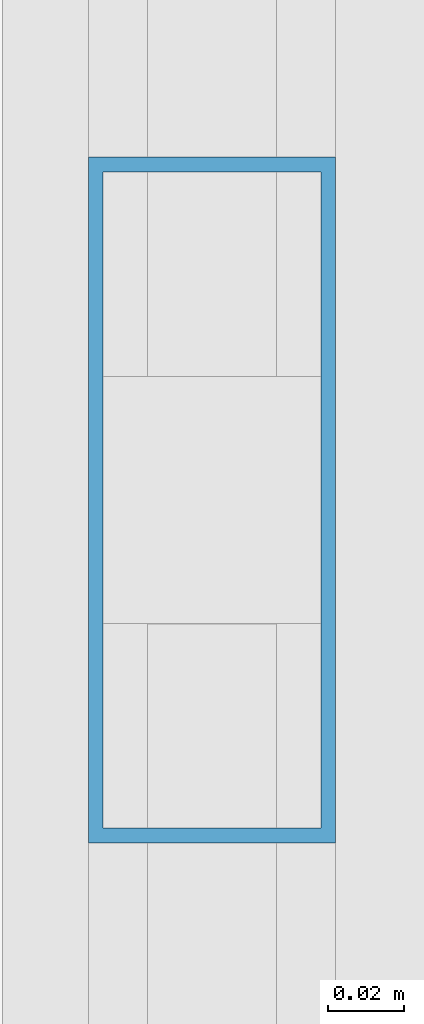
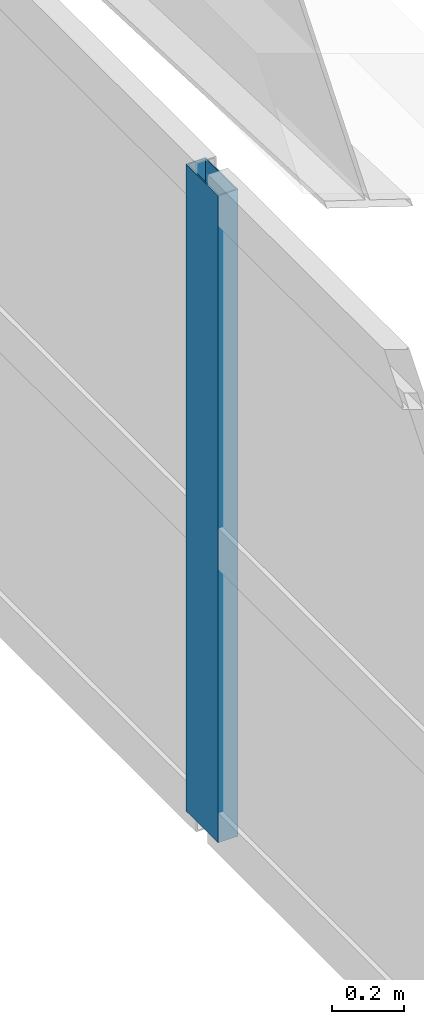
# One storey, part 33 of 128: 1 member, 1 element without a shape of its own.
"""IFC4 building model written with IfcOpenShell, lengths in metres."""

from ifc_helpers import new_model, si_unit, direction, frame, origin, origin_2d, place, context, subcontext, project, spatial, hollow_rectangle, extrude, material, layer, layer_set, material_profile, profile_set, type_object, element, aggregate, save


model = new_model("IFC4")

# Units and contexts
model_context = context("Model", 3, precision=1e-05, world=origin(), true_north=direction((0.0, 1.0)))
body_context = subcontext(model_context, "Body", "Model", "MODEL_VIEW")
ifc_project = project(units=[si_unit("LENGTHUNIT", "METRE"), si_unit("AREAUNIT", "SQUARE_METRE"), si_unit("VOLUMEUNIT", "CUBIC_METRE"), si_unit("PLANEANGLEUNIT", "RADIAN"), si_unit("MASSUNIT", "GRAM", prefix="KILO")], contexts=[model_context])

# Site, building, storey
site_placement = place(None, origin())
site = spatial("IfcSite", under=ifc_project, at=site_placement, CompositionType="ELEMENT")
building_placement = place(site_placement, origin())
building = spatial("IfcBuilding", under=site, at=building_placement, Name="Keldmere Railside Commons", CompositionType="ELEMENT")
storey_placement = place(building_placement, frame((0.0, 0.0, 4.159912109375)))
storey = spatial("IfcBuildingStorey", under=building, at=storey_placement, Name="L01", CompositionType="ELEMENT", Elevation=4.159912109375)

# Curtain wall, member
ifc_material = material(Name="Thermally Broken Aluminium", Category="aluminium")
ifc_layer = layer(ifc_material, 0.159912109375, Name="Community Hall Side Clerestory CW 5200x2200")
ifc_layer_set = layer_set([ifc_layer], Name="Thermally Broken Aluminium")
curtain_wall_type = type_object("IfcCurtainWallType", Name="Community Hall Side Clerestory CW 5200x2200", PredefinedType="NOTDEFINED", material=ifc_layer_set)
curtain_wall_placement = place(storey_placement, origin())
curtain_wall = element("IfcCurtainWall", 1, at=curtain_wall_placement, inside=storey, type_object=curtain_wall_type, Name="CW-06 CW-L01-208", PredefinedType="NOTDEFINED")
ifc_material_profile = material_profile(ifc_material, hollow_rectangle(XDim=0.06494140625, YDim=0.179931640625, WallThickness=0.00390625, at=origin_2d()), Name="ALU-MULL-65x180")
ifc_profile_set = profile_set([ifc_material_profile], Name="Thermally Broken Aluminium")
member_type = type_object("IfcMemberType", Name="Civic Tall Curtain Wall Mullion 65x180", PredefinedType="MULLION", material=ifc_profile_set)
member_placement = place(storey_placement, frame((105.949951171875, 36.666748046875, 0.090087890625), z_axis=(0.0, 0.0, 1.0), x_axis=(1.0, 0.0, 0.0)))
member = element("IfcMember", 2, at=member_placement, type_object=member_type, Name="CW-06 mullion 2", PredefinedType="MULLION", context=body_context, shape_type="SweptSolid", body=[
    extrude(hollow_rectangle(XDim=0.06494140625, YDim=0.179931640625, WallThickness=0.00390625, at=origin_2d()), origin(), (0.0, 0.0, 1.0), 2.199951171875),
])
aggregate(curtain_wall, [member])

save(model, "model.ifc")
